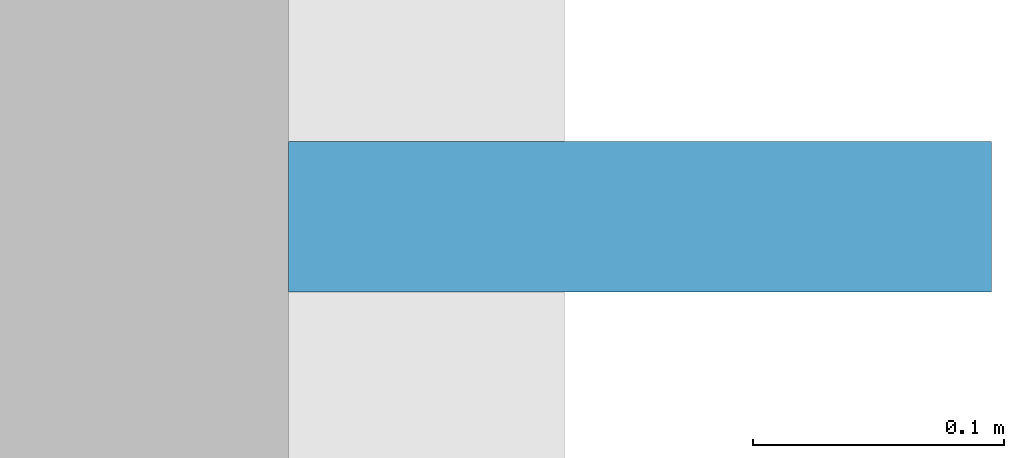
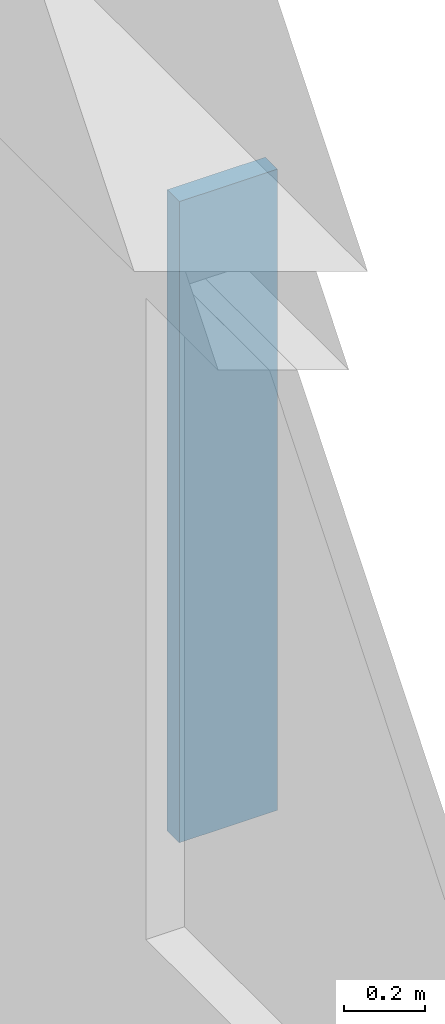
# One storey, part 4 of 9: 1 plate.
"""IFC4 building model written with IfcOpenShell, lengths in metres."""

from ifc_helpers import new_model, si_unit, direction, frame, origin, origin_2d, place, context, subcontext, project, spatial, rectangle, extrude, material, type_object, element, save


model = new_model("IFC4")

# Units and contexts
model_context = context("Model", 3, precision=1e-05, world=origin(), true_north=direction((0.0, 1.0)))
body_context = subcontext(model_context, "Body", "Model", "MODEL_VIEW")
ifc_project = project(units=[si_unit("LENGTHUNIT", "METRE"), si_unit("AREAUNIT", "SQUARE_METRE"), si_unit("VOLUMEUNIT", "CUBIC_METRE"), si_unit("PLANEANGLEUNIT", "RADIAN"), si_unit("MASSUNIT", "GRAM", prefix="KILO")], contexts=[model_context])

# Site, building, storey
site_placement = place(None, origin())
site = spatial("IfcSite", under=ifc_project, at=site_placement, CompositionType="ELEMENT")
building_placement = place(site_placement, origin())
building = spatial("IfcBuilding", under=site, at=building_placement, Name="Nhamokura Convention Tower", CompositionType="ELEMENT")
storey_placement = place(building_placement, frame((0.0, 0.0, 221.550048828125)))
storey = spatial("IfcBuildingStorey", under=building, at=storey_placement, Name="L54", CompositionType="ELEMENT", Elevation=221.550048828125)

# Plate
ifc_material = material(Name="Anodised bronze aluminium AA6063-T6", Category="aluminium")
plate_type = type_object("IfcPlateType", Name="BronzeSolarFin_2", PredefinedType="USERDEFINED", material=ifc_material)
plate_placement = place(storey_placement, frame((56.530029296875, 30.220703125, 0.849853515625), z_axis=(0.0, 0.0, 1.0), x_axis=(1.0, 0.0, 0.0)))
element("IfcPlate", 1, at=plate_placement, inside=storey, type_object=plate_type, Name="L54 Bronze Solar Shading Fin EAST 2", ObjectType="SOLAR_FIN", PredefinedType="USERDEFINED", context=body_context, shape_type="SweptSolid", body=[
    extrude(rectangle(XDim=0.280029296875, YDim=0.06005859375, at=origin_2d()), origin(), (0.0, 0.0, 1.0), 1.93505859375),
])

save(model, "model.ifc")
